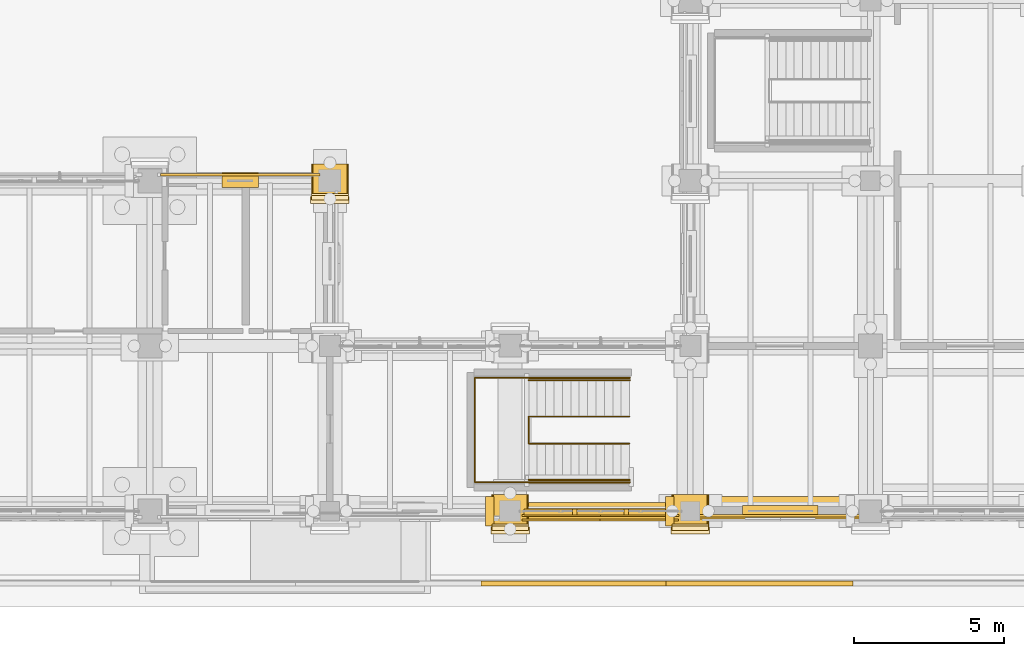
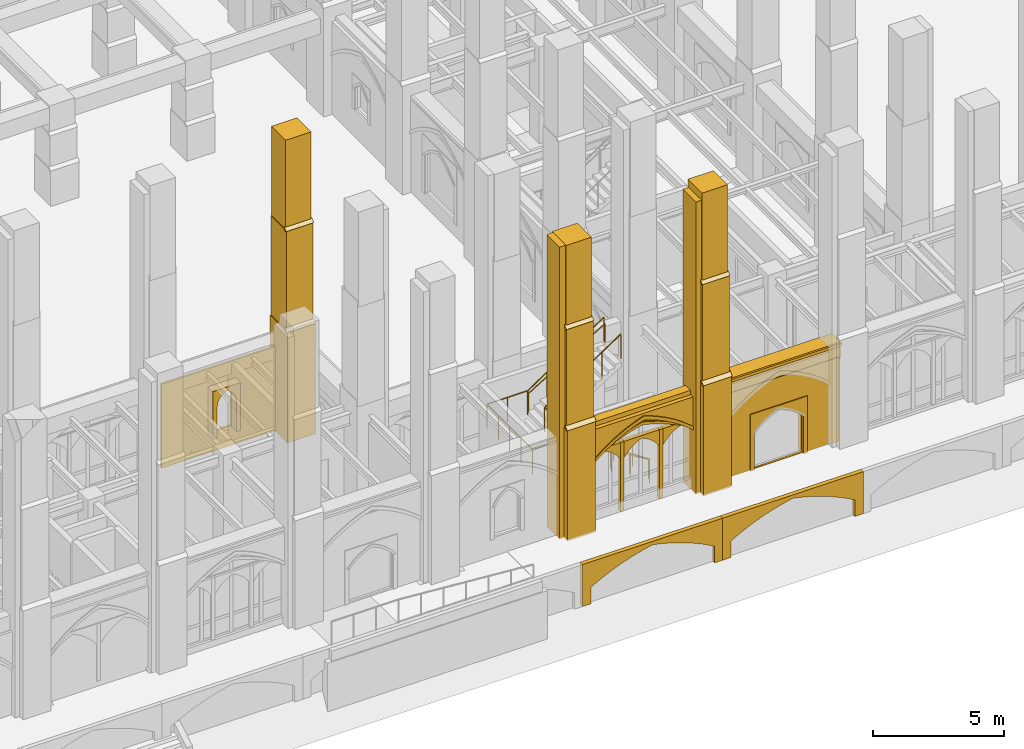
# One storey, part 82 of 135: 35 coverings, 6 railings.
"""IFC4 building model written with IfcOpenShell, lengths in metres."""

from ifc_helpers import new_model, si_unit, direction, frame, origin, origin_2d, place, context, subcontext, project, spatial, polyline, rectangle, circle, outline, extrude, material, type_object, element, save


model = new_model("IFC4")

# Units and contexts
model_context = context("Model", 3, precision=1e-05, world=origin(), true_north=direction((0.0, 1.0)))
body_context = subcontext(model_context, "Body", "Model", "MODEL_VIEW")
ifc_project = project(units=[si_unit("LENGTHUNIT", "METRE"), si_unit("AREAUNIT", "SQUARE_METRE"), si_unit("VOLUMEUNIT", "CUBIC_METRE"), si_unit("PLANEANGLEUNIT", "RADIAN"), si_unit("MASSUNIT", "GRAM", prefix="KILO")], contexts=[model_context])

# Site, building, storey
site_placement = place(None, origin())
site = spatial("IfcSite", under=ifc_project, at=site_placement, CompositionType="ELEMENT")
building_placement = place(site_placement, origin())
building = spatial("IfcBuilding", under=site, at=building_placement, Name="Cumevento Cable Car Station", CompositionType="ELEMENT")
storey_placement = place(building_placement, origin())
storey = spatial("IfcBuildingStorey", under=building, at=storey_placement, Name="L01", CompositionType="ELEMENT", Elevation=0.0)

# Railings
ifc_material_1 = material(Name="Painted Galvanised Architectural Steel", Category="steel")
railing_type_1 = type_object("IfcRailingType", Name="Stair Guardrail GR-S115", PredefinedType="GUARDRAIL", material=ifc_material_1)
railing_1_placement = place(storey_placement, frame((55.97998046875, 6.25, 0.0)))
element("IfcRailing", 1, at=railing_1_placement, inside=storey, type_object=railing_type_1, Name="Stair Well Inner Guardrail ST-07", PredefinedType="GUARDRAIL", context=body_context, shape_type="SweptSolid", body=[
    extrude(circle(Radius=0.02392578125, at=origin_2d()), frame((0.0, 0.0, 1.1259765625), z_axis=(-0.830896709279, 0.0, 0.556426687452), x_axis=(0.0, -1.0, 0.0)), (0.0, 0.0, 1.0), 4.043701171875),
    extrude(circle(Radius=0.02392578125, at=origin_2d()), frame((-3.35986328125, 0.0, 3.3759765625), z_axis=(0.0, 1.0, 0.0), x_axis=(-1.0, 0.0, 0.0)), (0.0, 0.0, 1.0), 0.89990234375),
    extrude(circle(Radius=0.02392578125, at=origin_2d()), frame((-3.35986328125, 0.89990234375, 3.3759765625), z_axis=(0.830896709279, 0.0, 0.556426687452), x_axis=(0.0, 1.0, 0.0)), (0.0, 0.0, 1.0), 4.043701171875),
    extrude(circle(Radius=0.02001953125, at=origin_2d()), origin(), (0.0, 0.0, 1.0), 1.101806640625),
    extrude(circle(Radius=0.02001953125, at=origin_2d()), frame((-0.83984375, 0.0, 0.5625)), (0.0, 0.0, 1.0), 1.101806640625),
    extrude(circle(Radius=0.02001953125, at=origin_2d()), frame((-1.679931640625, 0.0, 1.125)), (0.0, 0.0, 1.0), 1.101806640625),
    extrude(circle(Radius=0.02001953125, at=origin_2d()), frame((-2.52001953125, 0.0, 1.6875)), (0.0, 0.0, 1.0), 1.101806640625),
    extrude(circle(Radius=0.02001953125, at=origin_2d()), frame((-3.35986328125, 0.0, 2.25)), (0.0, 0.0, 1.0), 1.101806640625),
    extrude(circle(Radius=0.02001953125, at=origin_2d()), frame((-3.35986328125, 0.89990234375, 2.25)), (0.0, 0.0, 1.0), 1.101806640625),
    extrude(circle(Radius=0.02001953125, at=origin_2d()), frame((-2.52001953125, 0.89990234375, 2.8125)), (0.0, 0.0, 1.0), 1.101806640625),
    extrude(circle(Radius=0.02001953125, at=origin_2d()), frame((-1.679931640625, 0.89990234375, 3.375)), (0.0, 0.0, 1.0), 1.101806640625),
    extrude(circle(Radius=0.02001953125, at=origin_2d()), frame((-0.83984375, 0.89990234375, 3.9375)), (0.0, 0.0, 1.0), 1.101806640625),
    extrude(circle(Radius=0.02001953125, at=origin_2d()), frame((0.0, 0.89990234375, 4.5)), (0.0, 0.0, 1.0), 1.101806640625),
])
railing_2_placement = place(storey_placement, frame((52.6201171875, 4.9599609375, 2.25)))
element("IfcRailing", 2, at=railing_2_placement, inside=storey, type_object=railing_type_1, Name="Stair Half-Landing Guardrail ST-07", PredefinedType="GUARDRAIL", context=body_context, shape_type="SweptSolid", body=[
    extrude(circle(Radius=0.02392578125, at=origin_2d()), frame((0.0, 0.0, 1.1259765625), z_axis=(-1.0, 0.0, 0.0), x_axis=(0.0, -1.0, 0.0)), (0.0, 0.0, 1.0), 1.800048828125),
    extrude(circle(Radius=0.02392578125, at=origin_2d()), frame((-1.800048828125, 0.0, 1.1259765625), z_axis=(0.0, 1.0, 0.0), x_axis=(-1.0, 0.0, 0.0)), (0.0, 0.0, 1.0), 3.47998046875),
    extrude(circle(Radius=0.02392578125, at=origin_2d()), frame((-1.800048828125, 3.47998046875, 1.1259765625), z_axis=(1.0, 0.0, 0.0), x_axis=(0.0, 1.0, 0.0)), (0.0, 0.0, 1.0), 1.800048828125),
    extrude(circle(Radius=0.02001953125, at=origin_2d()), origin(), (0.0, 0.0, 1.0), 1.101806640625),
    extrude(circle(Radius=0.02001953125, at=origin_2d()), frame((-0.89990234375, 0.0, 0.0)), (0.0, 0.0, 1.0), 1.101806640625),
    extrude(circle(Radius=0.02001953125, at=origin_2d()), frame((-1.800048828125, 0.0, 0.0)), (0.0, 0.0, 1.0), 1.101806640625),
    extrude(circle(Radius=0.02001953125, at=origin_2d()), frame((-1.800048828125, 0.8701171875, 0.0)), (0.0, 0.0, 1.0), 1.101806640625),
    extrude(circle(Radius=0.02001953125, at=origin_2d()), frame((-1.800048828125, 1.739990234375, 0.0)), (0.0, 0.0, 1.0), 1.101806640625),
    extrude(circle(Radius=0.02001953125, at=origin_2d()), frame((-1.800048828125, 2.60986328125, 0.0)), (0.0, 0.0, 1.0), 1.101806640625),
    extrude(circle(Radius=0.02001953125, at=origin_2d()), frame((-1.800048828125, 3.47998046875, 0.0)), (0.0, 0.0, 1.0), 1.101806640625),
    extrude(circle(Radius=0.02001953125, at=origin_2d()), frame((-0.89990234375, 3.47998046875, 0.0)), (0.0, 0.0, 1.0), 1.101806640625),
    extrude(circle(Radius=0.02001953125, at=origin_2d()), frame((0.0, 3.47998046875, 0.0)), (0.0, 0.0, 1.0), 1.101806640625),
])
railing_3_placement = place(storey_placement, frame((55.97998046875, 4.9599609375, 0.0)))
element("IfcRailing", 3, at=railing_3_placement, inside=storey, type_object=railing_type_1, Name="Stair Outer Guardrail ST-07 F1", PredefinedType="GUARDRAIL", context=body_context, shape_type="SweptSolid", body=[
    extrude(circle(Radius=0.02392578125, at=origin_2d()), frame((0.0, 0.0, 1.1259765625), z_axis=(-0.830896709279, 0.0, 0.556426687452), x_axis=(0.0, -1.0, 0.0)), (0.0, 0.0, 1.0), 4.043701171875),
    extrude(circle(Radius=0.02001953125, at=origin_2d()), origin(), (0.0, 0.0, 1.0), 1.101806640625),
    extrude(circle(Radius=0.02001953125, at=origin_2d()), frame((-0.83984375, 0.0, 0.5625)), (0.0, 0.0, 1.0), 1.101806640625),
    extrude(circle(Radius=0.02001953125, at=origin_2d()), frame((-1.679931640625, 0.0, 1.125)), (0.0, 0.0, 1.0), 1.101806640625),
    extrude(circle(Radius=0.02001953125, at=origin_2d()), frame((-2.52001953125, 0.0, 1.6875)), (0.0, 0.0, 1.0), 1.101806640625),
    extrude(circle(Radius=0.02001953125, at=origin_2d()), frame((-3.35986328125, 0.0, 2.25)), (0.0, 0.0, 1.0), 1.101806640625),
])
railing_4_placement = place(storey_placement, frame((52.6201171875, 8.43994140625, 2.25)))
element("IfcRailing", 4, at=railing_4_placement, inside=storey, type_object=railing_type_1, Name="Stair Outer Guardrail ST-07 F2", PredefinedType="GUARDRAIL", context=body_context, shape_type="SweptSolid", body=[
    extrude(circle(Radius=0.02392578125, at=origin_2d()), frame((0.0, 0.0, 1.1259765625), z_axis=(0.830896709279, 0.0, 0.556426687452), x_axis=(0.0, 1.0, 0.0)), (0.0, 0.0, 1.0), 4.043701171875),
    extrude(circle(Radius=0.02001953125, at=origin_2d()), origin(), (0.0, 0.0, 1.0), 1.101806640625),
    extrude(circle(Radius=0.02001953125, at=origin_2d()), frame((0.83984375, 0.0, 0.5625)), (0.0, 0.0, 1.0), 1.101806640625),
    extrude(circle(Radius=0.02001953125, at=origin_2d()), frame((1.679931640625, 0.0, 1.125)), (0.0, 0.0, 1.0), 1.101806640625),
    extrude(circle(Radius=0.02001953125, at=origin_2d()), frame((2.52001953125, 0.0, 1.6875)), (0.0, 0.0, 1.0), 1.101806640625),
    extrude(circle(Radius=0.02001953125, at=origin_2d()), frame((3.35986328125, 0.0, 2.25)), (0.0, 0.0, 1.0), 1.101806640625),
])
ifc_material_2 = material(Name="Brushed Stainless Steel Handrail Tube", Category="steel")
railing_type_2 = type_object("IfcRailingType", Name="Stair Handrail HR-090", PredefinedType="HANDRAIL", material=ifc_material_2)
railing_5_placement = place(storey_placement, frame((55.97998046875, 5.0400390625, 0.17626953125)))
element("IfcRailing", 5, at=railing_5_placement, inside=storey, type_object=railing_type_2, Name="Stair Pitch Handrail ST-07 F1", PredefinedType="HANDRAIL", context=body_context, shape_type="SweptSolid", body=[
    extrude(circle(Radius=0.02099609375, at=origin_2d()), frame((0.0, 0.0, 0.87890625), z_axis=(-0.850606129759, 0.0, 0.525803396734), x_axis=(0.0, -1.0, 0.0)), (0.0, 0.0, 1.0), 3.949951171875),
    extrude(circle(Radius=0.01611328125, at=origin_2d()), origin(), (0.0, 0.0, 1.0), 0.85791015625),
    extrude(circle(Radius=0.01611328125, at=origin_2d()), frame((-0.83984375, 0.0, 0.519287109375)), (0.0, 0.0, 1.0), 0.85791015625),
    extrude(circle(Radius=0.01611328125, at=origin_2d()), frame((-1.679931640625, 0.0, 1.03857421875)), (0.0, 0.0, 1.0), 0.85791015625),
    extrude(circle(Radius=0.01611328125, at=origin_2d()), frame((-2.52001953125, 0.0, 1.5576171875)), (0.0, 0.0, 1.0), 0.85791015625),
    extrude(circle(Radius=0.01611328125, at=origin_2d()), frame((-3.35986328125, 0.0, 2.076904296875)), (0.0, 0.0, 1.0), 0.85791015625),
])
railing_6_placement = place(storey_placement, frame((52.6201171875, 8.360107421875, 2.42626953125)))
element("IfcRailing", 6, at=railing_6_placement, inside=storey, type_object=railing_type_2, Name="Stair Pitch Handrail ST-07 F2", PredefinedType="HANDRAIL", context=body_context, shape_type="SweptSolid", body=[
    extrude(circle(Radius=0.02099609375, at=origin_2d()), frame((0.0, 0.0, 0.87890625), z_axis=(0.850606129759, 0.0, 0.525803396734), x_axis=(0.0, 1.0, 0.0)), (0.0, 0.0, 1.0), 3.949951171875),
    extrude(circle(Radius=0.01611328125, at=origin_2d()), origin(), (0.0, 0.0, 1.0), 0.85791015625),
    extrude(circle(Radius=0.01611328125, at=origin_2d()), frame((0.83984375, 0.0, 0.519287109375)), (0.0, 0.0, 1.0), 0.85791015625),
    extrude(circle(Radius=0.01611328125, at=origin_2d()), frame((1.679931640625, 0.0, 1.03857421875)), (0.0, 0.0, 1.0), 0.85791015625),
    extrude(circle(Radius=0.01611328125, at=origin_2d()), frame((2.52001953125, 0.0, 1.5576171875)), (0.0, 0.0, 1.0), 0.85791015625),
    extrude(circle(Radius=0.01611328125, at=origin_2d()), frame((3.35986328125, 0.0, 2.076904296875)), (0.0, 0.0, 1.0), 0.85791015625),
])

# Coverings
ifc_material_3 = material(Name="Gnaisse Facoidal Stone Ashlar 85 MPa", Category="masonry")
covering_type = type_object("IfcCoveringType", Name="Gnaisse Ashlar Cladding CV-CL01", PredefinedType="CLADDING", material=ifc_material_3)
covering_1_placement = place(storey_placement, frame((46.0, 14.909912109375, -0.06005859375), z_axis=(0.0, 0.0, 1.0), x_axis=(1.0, 0.0, 0.0)))
element("IfcCovering", 7, at=covering_1_placement, inside=storey, type_object=covering_type, Name="Stepped Gothic Stone Buttress Tier 1 bt:46.0:15.0", PredefinedType="CLADDING", context=body_context, shape_type="SweptSolid", body=[
    extrude(rectangle(XDim=1.239990234375, YDim=1.300048828125, at=origin_2d()), origin(), (0.0, 0.0, 1.0), 5.175537109375),
])
covering_2_placement = place(storey_placement, frame((45.360107421875, 14.239990234375, 5.095703125), z_axis=(0.0, -0.711135781079, 0.703054692658), x_axis=(1.0, 0.0, 0.0)))
element("IfcCovering", 8, at=covering_2_placement, inside=storey, type_object=covering_type, Name="Gothic Buttress Sloped Stone Weathering 1 bt:46.0:15.0", PredefinedType="CLADDING", context=body_context, shape_type="SweptSolid", body=[
    extrude(outline(polyline([(0.0, 0.0), (1.27978515625, 0.0), (1.27978515625, 0.24169083397703695), (0.0, 0.24169083397703695), (0.0, 0.0)])), origin(), (0.0, 0.0, -1.0), 0.090087890625),
])
covering_3_placement = place(storey_placement, frame((46.0, 14.969970703125, 4.84326171875), z_axis=(0.0, 0.0, 1.0), x_axis=(1.0, 0.0, 0.0)))
element("IfcCovering", 9, at=covering_3_placement, inside=storey, type_object=covering_type, Name="Stepped Gothic Stone Buttress Tier 2 bt:46.0:15.0", PredefinedType="CLADDING", context=body_context, shape_type="SweptSolid", body=[
    extrude(rectangle(XDim=1.179931640625, YDim=1.179931640625, at=origin_2d()), origin(), (0.0, 0.0, 1.0), 4.9033203125),
])
covering_4_placement = place(storey_placement, frame((45.389892578125, 14.360107421875, 9.726318359375), z_axis=(0.0, -0.714474823669, 0.699661151089), x_axis=(1.0, 0.0, 0.0)))
element("IfcCovering", 10, at=covering_4_placement, inside=storey, type_object=covering_type, Name="Gothic Buttress Sloped Stone Weathering 2 bt:46.0:15.0", PredefinedType="CLADDING", context=body_context, shape_type="SweptSolid", body=[
    extrude(outline(polyline([(0.0, 0.0), (1.22021484375, 0.0), (1.22021484375, 0.21424991728737655), (0.0, 0.21424991728737655), (0.0, 0.0)])), origin(), (0.0, 0.0, -1.0), 0.090087890625),
])
covering_5_placement = place(storey_placement, frame((46.0, 15.02001953125, 9.47412109375), z_axis=(0.0, 0.0, 1.0), x_axis=(1.0, 0.0, 0.0)))
element("IfcCovering", 11, at=covering_5_placement, inside=storey, type_object=covering_type, Name="Stepped Gothic Stone Buttress Tier 3 bt:46.0:15.0", PredefinedType="CLADDING", context=body_context, shape_type="SweptSolid", body=[
    extrude(rectangle(XDim=1.1201171875, YDim=1.080078125, at=origin_2d()), origin(), (0.0, 0.0, 1.0), 4.426025390625),
])
covering_6_placement = place(storey_placement, frame((52.0, 3.909912109375, -0.06005859375), z_axis=(0.0, 0.0, 1.0), x_axis=(1.0, 0.0, 0.0)))
element("IfcCovering", 12, at=covering_6_placement, inside=storey, type_object=covering_type, Name="Stepped Gothic Stone Buttress Tier 1 bt:52.0:4.0", PredefinedType="CLADDING", context=body_context, shape_type="SweptSolid", body=[
    extrude(rectangle(XDim=1.239990234375, YDim=1.300048828125, at=origin_2d()), origin(), (0.0, 0.0, 1.0), 5.175537109375),
])
covering_7_placement = place(storey_placement, frame((51.360107421875, 3.239990234375, 5.095703125), z_axis=(0.0, -0.711135781079, 0.703054692658), x_axis=(1.0, 0.0, 0.0)))
element("IfcCovering", 13, at=covering_7_placement, inside=storey, type_object=covering_type, Name="Gothic Buttress Sloped Stone Weathering 1 bt:52.0:4.0", PredefinedType="CLADDING", context=body_context, shape_type="SweptSolid", body=[
    extrude(outline(polyline([(0.0, 0.0), (1.27978515625, 0.0), (1.27978515625, 0.24169083397703695), (0.0, 0.24169083397703695), (0.0, 0.0)])), origin(), (0.0, 0.0, -1.0), 0.090087890625),
])
covering_8_placement = place(storey_placement, frame((52.0, 3.969970703125, 4.84326171875), z_axis=(0.0, 0.0, 1.0), x_axis=(1.0, 0.0, 0.0)))
element("IfcCovering", 14, at=covering_8_placement, inside=storey, type_object=covering_type, Name="Stepped Gothic Stone Buttress Tier 2 bt:52.0:4.0", PredefinedType="CLADDING", context=body_context, shape_type="SweptSolid", body=[
    extrude(rectangle(XDim=1.179931640625, YDim=1.179931640625, at=origin_2d()), origin(), (0.0, 0.0, 1.0), 4.9033203125),
])
covering_9_placement = place(storey_placement, frame((51.389892578125, 3.360107421875, 9.726318359375), z_axis=(0.0, -0.714474823669, 0.699661151089), x_axis=(1.0, 0.0, 0.0)))
element("IfcCovering", 15, at=covering_9_placement, inside=storey, type_object=covering_type, Name="Gothic Buttress Sloped Stone Weathering 2 bt:52.0:4.0", PredefinedType="CLADDING", context=body_context, shape_type="SweptSolid", body=[
    extrude(outline(polyline([(0.0, 0.0), (1.22021484375, 0.0), (1.22021484375, 0.21424991728737655), (0.0, 0.21424991728737655), (0.0, 0.0)])), origin(), (0.0, 0.0, -1.0), 0.090087890625),
])
covering_10_placement = place(storey_placement, frame((52.0, 4.02001953125, 9.47412109375), z_axis=(0.0, 0.0, 1.0), x_axis=(1.0, 0.0, 0.0)))
element("IfcCovering", 16, at=covering_10_placement, inside=storey, type_object=covering_type, Name="Stepped Gothic Stone Buttress Tier 3 bt:52.0:4.0", PredefinedType="CLADDING", context=body_context, shape_type="SweptSolid", body=[
    extrude(rectangle(XDim=1.1201171875, YDim=1.080078125, at=origin_2d()), origin(), (0.0, 0.0, 1.0), 4.0859375),
])
covering_11_placement = place(storey_placement, frame((51.320068359375, 4.0, -0.06005859375), z_axis=(0.0, 0.0, 1.0), x_axis=(1.0, 0.0, 0.0)))
element("IfcCovering", 17, at=covering_11_placement, inside=storey, type_object=covering_type, Name="Corner Buttress Stone Return (52.0,4.0)", PredefinedType="CLADDING", context=body_context, shape_type="SweptSolid", body=[
    extrude(rectangle(XDim=0.280029296875, YDim=0.97998046875, at=origin_2d()), origin(), (0.0, 0.0, 1.0), 13.6201171875),
])
covering_12_placement = place(storey_placement, frame((58.0, 3.909912109375, -0.06005859375), z_axis=(0.0, 0.0, 1.0), x_axis=(1.0, 0.0, 0.0)))
element("IfcCovering", 18, at=covering_12_placement, inside=storey, type_object=covering_type, Name="Stepped Gothic Stone Buttress Tier 1 bt:58.0:4.0", PredefinedType="CLADDING", context=body_context, shape_type="SweptSolid", body=[
    extrude(rectangle(XDim=1.239990234375, YDim=1.300048828125, at=origin_2d()), origin(), (0.0, 0.0, 1.0), 5.175537109375),
])
covering_13_placement = place(storey_placement, frame((57.360107421875, 3.239990234375, 5.095703125), z_axis=(0.0, -0.711135781079, 0.703054692658), x_axis=(1.0, 0.0, 0.0)))
element("IfcCovering", 19, at=covering_13_placement, inside=storey, type_object=covering_type, Name="Gothic Buttress Sloped Stone Weathering 1 bt:58.0:4.0", PredefinedType="CLADDING", context=body_context, shape_type="SweptSolid", body=[
    extrude(outline(polyline([(0.0, 0.0), (1.27978515625, 0.0), (1.27978515625, 0.24169083397703695), (0.0, 0.24169083397703695), (0.0, 0.0)])), origin(), (0.0, 0.0, -1.0), 0.090087890625),
])
covering_14_placement = place(storey_placement, frame((58.0, 3.969970703125, 4.84326171875), z_axis=(0.0, 0.0, 1.0), x_axis=(1.0, 0.0, 0.0)))
element("IfcCovering", 20, at=covering_14_placement, inside=storey, type_object=covering_type, Name="Stepped Gothic Stone Buttress Tier 2 bt:58.0:4.0", PredefinedType="CLADDING", context=body_context, shape_type="SweptSolid", body=[
    extrude(rectangle(XDim=1.179931640625, YDim=1.179931640625, at=origin_2d()), origin(), (0.0, 0.0, 1.0), 4.9033203125),
])
covering_15_placement = place(storey_placement, frame((57.389892578125, 3.360107421875, 9.726318359375), z_axis=(0.0, -0.714474823669, 0.699661151089), x_axis=(1.0, 0.0, 0.0)))
element("IfcCovering", 21, at=covering_15_placement, inside=storey, type_object=covering_type, Name="Gothic Buttress Sloped Stone Weathering 2 bt:58.0:4.0", PredefinedType="CLADDING", context=body_context, shape_type="SweptSolid", body=[
    extrude(outline(polyline([(0.0, 0.0), (1.22021484375, 0.0), (1.22021484375, 0.21424991728737655), (0.0, 0.21424991728737655), (0.0, 0.0)])), origin(), (0.0, 0.0, -1.0), 0.090087890625),
])
covering_16_placement = place(storey_placement, frame((58.0, 4.02001953125, 9.47412109375), z_axis=(0.0, 0.0, 1.0), x_axis=(1.0, 0.0, 0.0)))
element("IfcCovering", 22, at=covering_16_placement, inside=storey, type_object=covering_type, Name="Stepped Gothic Stone Buttress Tier 3 bt:58.0:4.0", PredefinedType="CLADDING", context=body_context, shape_type="SweptSolid", body=[
    extrude(rectangle(XDim=1.1201171875, YDim=1.080078125, at=origin_2d()), origin(), (0.0, 0.0, 1.0), 4.426025390625),
])
covering_17_placement = place(storey_placement, frame((57.320068359375, 4.0, -0.06005859375), z_axis=(0.0, 0.0, 1.0), x_axis=(1.0, 0.0, 0.0)))
element("IfcCovering", 23, at=covering_17_placement, inside=storey, type_object=covering_type, Name="Corner Buttress Stone Return (58.0,4.0)", PredefinedType="CLADDING", context=body_context, shape_type="SweptSolid", body=[
    extrude(rectangle(XDim=0.280029296875, YDim=0.97998046875, at=origin_2d()), origin(), (0.0, 0.0, 1.0), 13.6201171875),
])
covering_18_placement = place(storey_placement, frame((55.012451171875, 4.090087890625, 3.80908203125), z_axis=(0.0, 0.0, 1.0), x_axis=(-1.0, 0.0, 0.0)))
element("IfcCovering", 24, at=covering_18_placement, inside=storey, type_object=covering_type, Name="Gothic Stone Spandrel Stringcourse sc:0013", PredefinedType="CLADDING", context=body_context, shape_type="SweptSolid", body=[
    extrude(rectangle(XDim=5.385009765625, YDim=0.3798828125, at=origin_2d()), origin(), (0.0, 0.0, 1.0), 0.7470703125),
])
covering_19_placement = place(storey_placement, frame((60.97509765625, 4.14990234375, 3.80908203125), z_axis=(0.0, 0.0, 1.0), x_axis=(-1.0, 0.0, 0.0)))
element("IfcCovering", 25, at=covering_19_placement, inside=storey, type_object=covering_type, Name="Gothic Stone Spandrel Stringcourse sc:0014", PredefinedType="CLADDING", context=body_context, shape_type="SweptSolid", body=[
    extrude(rectangle(XDim=5.5400390625, YDim=0.659912109375, at=origin_2d()), origin(), (0.0, 0.0, 1.0), 0.7470703125),
])
covering_20_placement = place(storey_placement, frame((60.97509765625, 3.79248046875, 4.426025390625), z_axis=(0.0, 0.0, 1.0), x_axis=(-1.0, 0.0, 0.0)))
element("IfcCovering", 26, at=covering_20_placement, inside=storey, type_object=covering_type, Name="Gothic Cornice Dripstone Lip sc:0014", PredefinedType="CLADDING", context=body_context, shape_type="SweptSolid", body=[
    extrude(rectangle(XDim=5.580078125, YDim=0.114990234375, at=origin_2d()), origin(), (0.0, 0.0, 1.0), 0.1298828125),
])
placement = place(storey_placement, frame((57.675048828125, 4.0, 0.0), z_axis=(0.0, 0.0, 1.0), x_axis=(-1.0, 0.0, 0.0)))
element("IfcCovering", 27, at=placement, inside=storey, type_object=covering_type, Name="Gothic Ogival Pointed-Arch Stone Spandrel cw_ogival:0006", PredefinedType="CLADDING", context=body_context, shape_type="SweptSolid", body=[
    extrude(outline(polyline([(-0.080078125, 0.0), (-0.080078125, 3.948974609375), (5.405029296875, 3.948974609375), (5.405029296875, 0.0), (5.1650390625, 0.0), (5.1650390625, 2.641845703125), (4.8779296875, 2.83154296875), (4.58203125, 3.007568359375), (4.278076171875, 3.1689453125), (3.966796875, 3.315673828125), (3.64892578125, 3.447265625), (3.324951171875, 3.563720703125), (2.99609375, 3.664306640625), (2.66259765625, 3.7490234375), (2.328857421875, 3.664306640625), (2.0, 3.563720703125), (1.676025390625, 3.447265625), (1.358154296875, 3.315673828125), (1.046875, 3.1689453125), (0.742919921875, 3.007568359375), (0.447021484375, 2.83154296875), (0.159912109375, 2.641845703125), (0.159912109375, 0.0), (-0.080078125, 0.0)])), frame((0.0, 0.139892578125, 0.0), z_axis=(0.0, -1.0, 0.0), x_axis=(1.0, 0.0, 0.0)), (0.0, 0.0, 1.0), 0.219970703125),
])
covering_22_placement = place(storey_placement, frame((57.675048828125, 4.0, 2.641845703125), z_axis=(0.0, 0.0, 1.0), x_axis=(-1.0, 0.0, 0.0)))
element("IfcCovering", 28, at=covering_22_placement, inside=storey, type_object=covering_type, Name="Gothic Pointed Archivolt Hood Moulding cw_ogival:0006", PredefinedType="CLADDING", context=body_context, shape_type="SweptSolid", body=[
    extrude(outline(polyline([(0.159912109375, 0.0), (0.447021484375, 0.189697265625), (0.742919921875, 0.36572265625), (1.046875, 0.527099609375), (1.358154296875, 0.673828125), (1.676025390625, 0.805419921875), (2.0, 0.921875), (2.328857421875, 1.0224609375), (2.66259765625, 1.107177734375), (2.99609375, 1.0224609375), (3.324951171875, 0.921875), (3.64892578125, 0.805419921875), (3.966796875, 0.673828125), (4.278076171875, 0.527099609375), (4.58203125, 0.36572265625), (4.8779296875, 0.189697265625), (5.1650390625, 0.0), (5.27490234375, 0.0), (4.979248046875, 0.212646484375), (4.673095703125, 0.409912109375), (4.357177734375, 0.59130859375), (4.032470703125, 0.75634765625), (3.699951171875, 0.904541015625), (3.360107421875, 1.03564453125), (3.013916015625, 1.149169921875), (2.66259765625, 1.24462890625), (2.31103515625, 1.149169921875), (1.96484375, 1.03564453125), (1.625, 0.904541015625), (1.29248046875, 0.75634765625), (0.9677734375, 0.59130859375), (0.65185546875, 0.409912109375), (0.345703125, 0.212646484375), (0.050048828125, 0.0), (0.159912109375, 0.0)])), frame((0.0, 0.181884765625, 0.0), z_axis=(0.0, -1.0, 0.0), x_axis=(1.0, 0.0, 0.0)), (0.0, 0.0, 1.0), 0.06689453125),
])
element("IfcCovering", 29, at=placement, inside=storey, type_object=covering_type, Name="Gothic Bifora Stone Colonnette cw_ogival:0006 #1", PredefinedType="CLADDING", context=body_context, shape_type="SweptSolid", body=[
    extrude(outline(polyline([(1.728271484375, -0.02001953125), (1.87841796875, -0.02001953125), (1.87841796875, 3.217529296875), (1.728271484375, 3.217529296875), (1.728271484375, -0.02001953125)])), frame((0.0, 0.1279296875, 0.0), z_axis=(0.0, -1.0, 0.0), x_axis=(1.0, 0.0, 0.0)), (0.0, 0.0, 1.0), 0.205078125),
])
element("IfcCovering", 30, at=placement, inside=storey, type_object=covering_type, Name="Gothic Bifora Stone Colonnette cw_ogival:0006 #2", PredefinedType="CLADDING", context=body_context, shape_type="SweptSolid", body=[
    extrude(outline(polyline([(3.44677734375, -0.02001953125), (3.5966796875, -0.02001953125), (3.5966796875, 3.217529296875), (3.44677734375, 3.217529296875), (3.44677734375, -0.02001953125)])), frame((0.0, 0.1279296875, 0.0), z_axis=(0.0, -1.0, 0.0), x_axis=(1.0, 0.0, 0.0)), (0.0, 0.0, 1.0), 0.205078125),
])
for number, where, z_axis, x_axis, name in (
    (31, (57.544921875, 4.0, 2.4619140625), (0.0, 0.0, 1.0), (-1.0, 0.0, 0.0), "Gothic Ogival Pointed-Arch Stone Spandrel cw_ogival:0006:sub:0"),
    (32, (55.82666015625, 4.0, 2.4619140625), (0.0, 0.0, 1.0), (-1.0, 0.0, 0.0), "Gothic Ogival Pointed-Arch Stone Spandrel cw_ogival:0006:sub:1"),
    (33, (54.1083984375, 4.0, 2.4619140625), (0.0, 0.0, 1.0), (-1.0, 0.0, 0.0), "Gothic Ogival Pointed-Arch Stone Spandrel cw_ogival:0006:sub:2"),
):
    element("IfcCovering", number, at=place(storey_placement, frame(where, z_axis=z_axis, x_axis=x_axis)), inside=storey, type_object=covering_type, Name=name, PredefinedType="CLADDING", context=body_context, shape_type="SweptSolid", body=[
        extrude(outline(polyline([(-0.02001953125, 0.0), (-0.02001953125, 0.755615234375), (1.6484375, 0.755615234375), (1.6484375, 0.0), (1.58837890625, 0.0), (1.48974609375, 0.13818359375), (1.377197265625, 0.26513671875), (1.251953125, 0.379638671875), (1.115478515625, 0.480224609375), (0.968994140625, 0.56591796875), (0.814208984375, 0.6357421875), (0.659423828125, 0.56591796875), (0.512939453125, 0.480224609375), (0.37646484375, 0.379638671875), (0.251220703125, 0.26513671875), (0.138671875, 0.13818359375), (0.0400390625, 0.0), (-0.02001953125, 0.0)])), frame((0.0, 0.1240234375, 0.0), z_axis=(0.0, -1.0, 0.0), x_axis=(1.0, 0.0, 0.0)), (0.0, 0.0, 1.0), 0.199951171875),
    ])
covering_25_placement = place(storey_placement, frame((40.39990234375, 15.0, 0.0), z_axis=(0.0, 0.0, 1.0), x_axis=(1.0, 0.0, 0.0)))
element("IfcCovering", 34, at=covering_25_placement, inside=storey, type_object=covering_type, Name="Exterior Gnaisse Stone Wall Ashlar #113", PredefinedType="CLADDING", context=body_context, shape_type="SweptSolid", body=[
    extrude(outline(polyline([(-0.0400390625, -0.02001953125), (5.264892578125, -0.02001953125), (5.264892578125, 3.90087890625), (-0.0400390625, 3.90087890625), (-0.0400390625, -0.02001953125)]), holes=[polyline([(2.197509765625, 0.909912109375), (3.027587890625, 0.909912109375), (3.027587890625, 2.840087890625), (2.197509765625, 2.840087890625), (2.197509765625, 0.909912109375)])]), frame((0.0, 0.237548828125, 0.0), z_axis=(0.0, -1.0, 0.0), x_axis=(1.0, 0.0, 0.0)), (0.0, 0.0, 1.0), 0.0849609375),
])
covering_26_placement = place(storey_placement, frame((42.447509765625, 15.0, 0.85009765625), z_axis=(0.0, 0.0, 1.0), x_axis=(1.0, 0.0, 0.0)))
element("IfcCovering", 35, at=covering_26_placement, inside=storey, type_object=covering_type, Name="Gothic Ogival Pointed-Arch Stone Spandrel op_ogival:0113:1", PredefinedType="CLADDING", context=body_context, shape_type="SweptSolid", body=[
    extrude(outline(polyline([(-0.0400390625, 0.0), (-0.0400390625, 2.219970703125), (1.169921875, 2.219970703125), (1.169921875, 0.0), (0.989990234375, 0.0), (0.989990234375, 1.4541015625), (0.97998046875, 1.56396484375), (0.95068359375, 1.67041015625), (0.90283203125, 1.77001953125), (0.838134765625, 1.859375), (0.75830078125, 1.935302734375), (0.666259765625, 1.99658203125), (0.56494140625, 2.039794921875), (0.463623046875, 1.99658203125), (0.37158203125, 1.935302734375), (0.291748046875, 1.859375), (0.22705078125, 1.77001953125), (0.17919921875, 1.67041015625), (0.14990234375, 1.56396484375), (0.139892578125, 1.4541015625), (0.139892578125, 0.0), (-0.0400390625, 0.0)])), frame((0.0, 0.275390625, 0.0), z_axis=(0.0, -1.0, 0.0), x_axis=(1.0, 0.0, 0.0)), (0.0, 0.0, 1.0), 0.5048828125),
])
covering_27_placement = place(storey_placement, frame((63.625, 4.0, 0.0), z_axis=(0.0, 0.0, 1.0), x_axis=(-1.0, 0.0, 0.0)))
element("IfcCovering", 36, at=covering_27_placement, inside=storey, type_object=covering_type, Name="Exterior Gnaisse Stone Wall Ashlar #118", PredefinedType="CLADDING", context=body_context, shape_type="SweptSolid", body=[
    extrude(outline(polyline([(-0.0400390625, -0.02001953125), (5.340087890625, -0.02001953125), (5.340087890625, 3.888916015625), (-0.0400390625, 3.888916015625), (-0.0400390625, -0.02001953125)]), holes=[polyline([(1.56005859375, 0.02001953125), (3.68994140625, 0.02001953125), (3.68994140625, 2.3701171875), (1.56005859375, 2.3701171875), (1.56005859375, 0.02001953125)])]), frame((0.0, 0.199951171875, 0.0), z_axis=(0.0, -1.0, 0.0), x_axis=(1.0, 0.0, 0.0)), (0.0, 0.0, 1.0), 0.0849609375),
])
covering_28_placement = place(storey_placement, frame((62.215087890625, 4.0, -0.050048828125), z_axis=(0.0, 0.0, 1.0), x_axis=(-1.0, 0.0, 0.0)))
element("IfcCovering", 37, at=covering_28_placement, inside=storey, type_object=covering_type, Name="Gothic Ogival Pointed-Arch Stone Spandrel op_ogival:0118:1", PredefinedType="CLADDING", context=body_context, shape_type="SweptSolid", body=[
    extrude(outline(polyline([(-0.0400390625, 0.0), (-0.0400390625, 2.64990234375), (2.469970703125, 2.64990234375), (2.469970703125, 0.0), (2.2900390625, 0.0), (2.2900390625, 1.763671875), (2.161865234375, 1.8984375), (2.023681640625, 2.02294921875), (1.876708984375, 2.13671875), (1.72119140625, 2.23876953125), (1.55859375, 2.32861328125), (1.389404296875, 2.406005859375), (1.215087890625, 2.469970703125), (1.04052734375, 2.406005859375), (0.871337890625, 2.32861328125), (0.708740234375, 2.23876953125), (0.55322265625, 2.13671875), (0.40625, 2.02294921875), (0.26806640625, 1.8984375), (0.139892578125, 1.763671875), (0.139892578125, 0.0), (-0.0400390625, 0.0)])), frame((0.0, 0.238037109375, 0.0), z_axis=(0.0, -1.0, 0.0), x_axis=(1.0, 0.0, 0.0)), (0.0, 0.0, 1.0), 0.429931640625),
])
covering_29_placement = place(storey_placement, frame((57.64990234375, 4.0, 0.0), z_axis=(0.0, 0.0, 1.0), x_axis=(-1.0, 0.0, 0.0)))
element("IfcCovering", 38, at=covering_29_placement, inside=storey, type_object=covering_type, Name="Gothic Ogival Pointed-Arch Stone Spandrel south_arcade:04", PredefinedType="CLADDING", context=body_context, shape_type="SweptSolid", body=[
    extrude(outline(polyline([(-0.25, 0.0), (-0.25, 4.35009765625), (5.550048828125, 4.35009765625), (5.550048828125, 0.0), (5.1201171875, 0.0), (5.1201171875, 2.550048828125), (4.85791015625, 2.80615234375), (4.580078125, 3.044921875), (4.287841796875, 3.265869140625), (3.98193359375, 3.467529296875), (3.6640625, 3.649658203125), (3.335205078125, 3.81103515625), (2.996826171875, 3.951416015625), (2.64990234375, 4.070068359375), (2.30322265625, 3.951416015625), (1.96484375, 3.81103515625), (1.635986328125, 3.649658203125), (1.318115234375, 3.467529296875), (1.01220703125, 3.265869140625), (0.719970703125, 3.044921875), (0.442138671875, 2.80615234375), (0.179931640625, 2.550048828125), (0.179931640625, 0.0), (-0.25, 0.0)])), frame((0.0, 0.280029296875, 0.0), z_axis=(0.0, -1.0, 0.0), x_axis=(1.0, 0.0, 0.0)), (0.0, 0.0, 1.0), 0.360107421875),
])
covering_30_placement = place(storey_placement, frame((57.64990234375, 4.0, 2.550048828125), z_axis=(0.0, 0.0, 1.0), x_axis=(-1.0, 0.0, 0.0)))
element("IfcCovering", 39, at=covering_30_placement, inside=storey, type_object=covering_type, Name="Gothic Pointed Archivolt Hood Moulding south_arcade:04", PredefinedType="CLADDING", context=body_context, shape_type="SweptSolid", body=[
    extrude(outline(polyline([(0.179931640625, 0.0), (0.442138671875, 0.256103515625), (0.719970703125, 0.494873046875), (1.01220703125, 0.7158203125), (1.318115234375, 0.91748046875), (1.635986328125, 1.099609375), (1.96484375, 1.260986328125), (2.30322265625, 1.4013671875), (2.64990234375, 1.52001953125), (2.996826171875, 1.4013671875), (3.335205078125, 1.260986328125), (3.6640625, 1.099609375), (3.98193359375, 0.91748046875), (4.287841796875, 0.7158203125), (4.580078125, 0.494873046875), (4.85791015625, 0.256103515625), (5.1201171875, 0.0), (5.260009765625, 0.0), (4.988037109375, 0.284423828125), (4.697998046875, 0.55029296875), (4.390625, 0.796142578125), (4.06787109375, 1.021484375), (3.73095703125, 1.224609375), (3.38134765625, 1.4052734375), (3.0205078125, 1.562255859375), (2.64990234375, 1.695068359375), (2.279541015625, 1.562255859375), (1.918701171875, 1.4052734375), (1.569091796875, 1.224609375), (1.232177734375, 1.021484375), (0.909423828125, 0.796142578125), (0.60205078125, 0.55029296875), (0.31201171875, 0.284423828125), (0.0400390625, 0.0), (0.179931640625, 0.0)])), frame((0.0, 0.322021484375, 0.0), z_axis=(0.0, -1.0, 0.0), x_axis=(1.0, 0.0, 0.0)), (0.0, 0.0, 1.0), 0.06689453125),
])
for number, where, z_axis, x_axis, name in (
    (40, (57.216552734375, 1.64990234375, -1.919921875), (0.0, 0.0, 1.0), (-1.0, 0.0, 0.0), "Gothic Ogival Pointed-Arch Stone Spandrel cumevento_plinth:plinth_arch:S:8"),
    (41, (63.390625, 1.64990234375, -1.919921875), (0.0, 0.0, 1.0), (-1.0, 0.0, 0.0), "Gothic Ogival Pointed-Arch Stone Spandrel cumevento_plinth:plinth_arch:S:9"),
):
    element("IfcCovering", number, at=place(storey_placement, frame(where, z_axis=z_axis, x_axis=x_axis)), inside=storey, type_object=covering_type, Name=name, PredefinedType="CLADDING", context=body_context, shape_type="SweptSolid", body=[
        extrude(outline(polyline([(-0.02001953125, 0.0), (-0.02001953125, 1.9599609375), (6.194091796875, 1.9599609375), (6.194091796875, 0.0), (5.81396484375, 0.0), (5.81396484375, 0.77001953125), (5.3857421875, 1.00390625), (4.945068359375, 1.213623046875), (4.493408203125, 1.3984375), (4.0322265625, 1.558349609375), (3.56298828125, 1.692138671875), (3.087158203125, 1.800048828125), (2.611083984375, 1.692138671875), (2.141845703125, 1.558349609375), (1.6806640625, 1.3984375), (1.22900390625, 1.213623046875), (0.788330078125, 1.00390625), (0.360107421875, 0.77001953125), (0.360107421875, 0.0), (-0.02001953125, 0.0)])), frame((0.0, 0.14990234375, 0.0), z_axis=(0.0, -1.0, 0.0), x_axis=(1.0, 0.0, 0.0)), (0.0, 0.0, 1.0), 0.179931640625),
    ])

save(model, "model.ifc")
